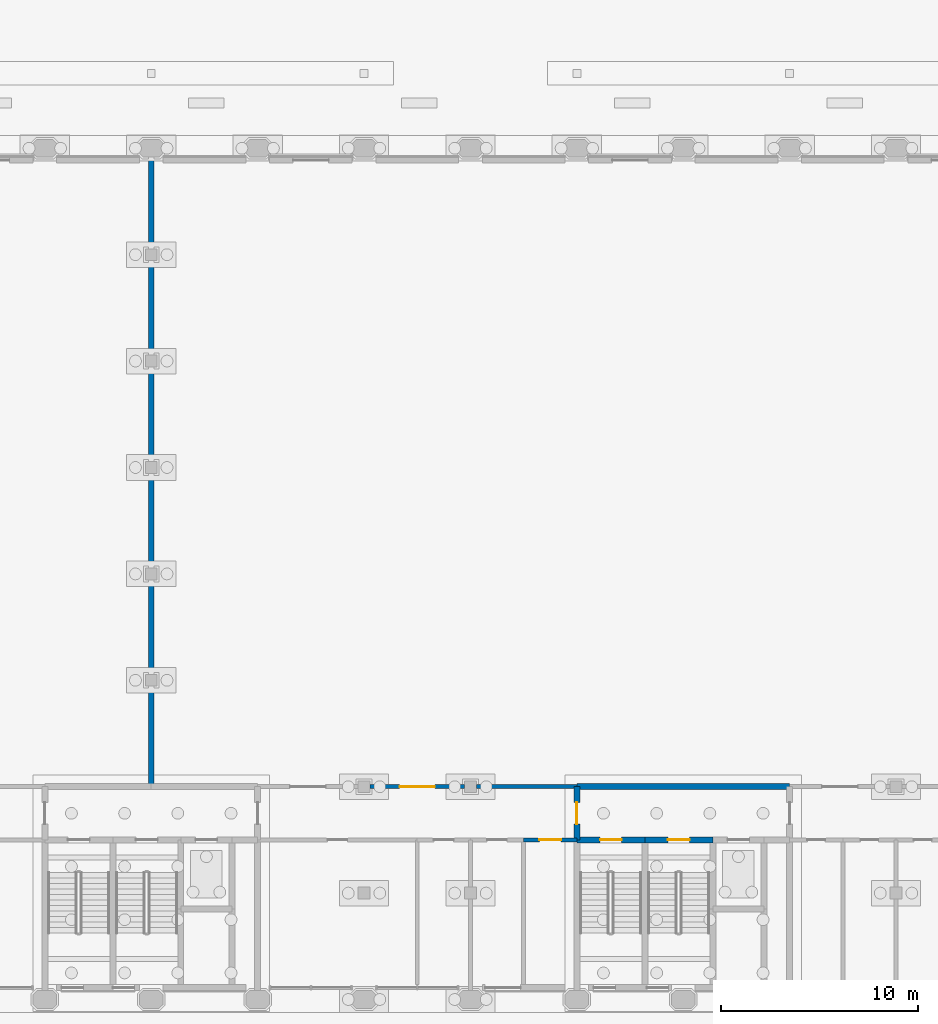
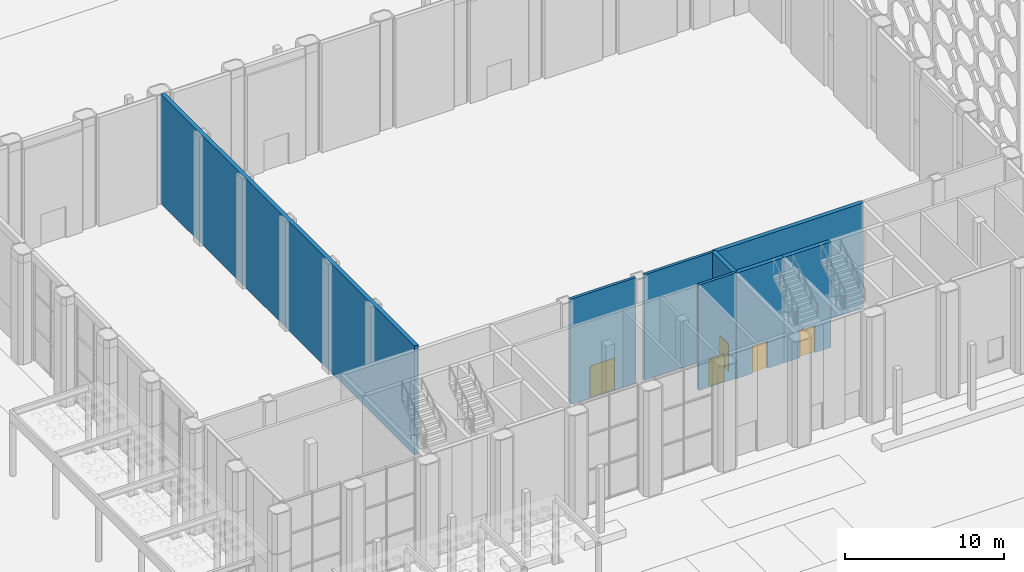
# One storey, part 34 of 54: 8 walls, 5 doors, 5 openings.
"""IFC4 building model written with IfcOpenShell, lengths in metres."""

import ifcopenshell
import ifcopenshell.guid

model = None  # the IFC model being written
_history = None  # IfcOwnerHistory: only IFC2X3 demands one
_inside = {}  # id of a spatial element -> (the spatial element, [elements in it])
_under = {}  # id of a project, library or spatial element -> (it, [spatial elements below it])
_declared = {}  # id of a project -> (the project, [libraries it declares])
_typed = {}  # id of a type object -> (the type object, [elements of that type])
_made_of = {}  # id of a material, layer set ... -> (it, [elements and type objects made of it])


def new_model(schema):
    """Start an empty IFC model of exactly this schema.

    Asked for "IFC4X3", IfcOpenShell would pick the latest addendum, in which some entities
    have other attributes; the version numbers below select the first issue.
    IFC2X3 requires an IfcOwnerHistory on every rooted entity: one is made here for all.
    """
    global model, _history
    if schema == "IFC4X3":
        model = ifcopenshell.file(schema_version=(4, 3, 0, 0))
    else:
        model = ifcopenshell.file(schema=schema)
    _inside.clear()
    _under.clear()
    _declared.clear()
    _typed.clear()
    _made_of.clear()
    _history = None
    if model.schema == "IFC2X3":
        org = make("IfcOrganization", Name="unknown")
        user = make(
            "IfcPersonAndOrganization",
            ThePerson=make("IfcPerson", FamilyName="unknown"),
            TheOrganization=org,
        )
        app = make(
            "IfcApplication",
            ApplicationDeveloper=org,
            Version="unknown",
            ApplicationFullName="unknown",
            ApplicationIdentifier="unknown",
        )
        _history = make(
            "IfcOwnerHistory",
            OwningUser=user,
            OwningApplication=app,
            ChangeAction="ADDED",
            CreationDate=0,
        )
    return model


def make(cls, **values):
    """One entity of the class cls with the attributes given. An attribute that is None is left unset."""
    return model.create_entity(
        cls, **{name: value for name, value in values.items() if value is not None}
    )


def rooted(cls, **values):
    """An entity with a GlobalId (a new one), such as an element, a storey or a relation."""
    return make(cls, GlobalId=ifcopenshell.guid.new(), OwnerHistory=_history, **values)


def si_unit(unit_type, name, prefix=None):
    """IfcSIUnit, for example si_unit("LENGTHUNIT", "METRE", prefix="MILLI")."""
    return make("IfcSIUnit", UnitType=unit_type, Prefix=prefix, Name=name)


def assignment(units):
    """IfcUnitAssignment: the units of a project."""
    return None if units is None else make("IfcUnitAssignment", Units=units)


def point(xyz):
    """IfcCartesianPoint."""
    return None if xyz is None else make("IfcCartesianPoint", Coordinates=xyz)


def direction(xyz):
    """IfcDirection."""
    return None if xyz is None else make("IfcDirection", DirectionRatios=xyz)


def frame(location, z_axis=None, x_axis=None):
    """IfcAxis2Placement3D, a coordinate frame: its origin and axes. An axis left out is left unset."""
    return make(
        "IfcAxis2Placement3D",
        Location=point(location),
        Axis=direction(z_axis),
        RefDirection=direction(x_axis),
    )


def frame_2d(location, x_axis=None):
    """IfcAxis2Placement2D, a coordinate frame in the plane: its origin and x axis."""
    return make(
        "IfcAxis2Placement2D", Location=point(location), RefDirection=direction(x_axis)
    )


def origin():
    """The frame at (0, 0, 0) with its axes left unset."""
    return frame((0.0, 0.0, 0.0))


def place(relative_to, where):
    """IfcLocalPlacement: puts the frame where relative to a parent placement (None: the world)."""
    return make(
        "IfcLocalPlacement", PlacementRelTo=relative_to, RelativePlacement=where
    )


def context(
    kind, dimensions, precision=None, world=None, true_north=None, identifier=None
):
    """IfcGeometricRepresentationContext, for example the 3D "Model" context."""
    return make(
        "IfcGeometricRepresentationContext",
        ContextIdentifier=identifier,
        ContextType=kind,
        CoordinateSpaceDimension=dimensions,
        Precision=precision,
        WorldCoordinateSystem=world,
        TrueNorth=true_north,
    )


def subcontext(parent, identifier, kind, view, scale=None):
    """IfcGeometricRepresentationSubContext, for example "Body" below "Model"."""
    return make(
        "IfcGeometricRepresentationSubContext",
        ContextIdentifier=identifier,
        ContextType=kind,
        ParentContext=parent,
        TargetScale=scale,
        TargetView=view,
    )


def project(units=None, contexts=None):
    """IfcProject with its units and contexts."""
    return rooted(
        "IfcProject",
        Name="project",
        RepresentationContexts=contexts,
        UnitsInContext=assignment(units),
    )


def spatial(cls, under=None, at=None, **own):
    """A site, building, storey or space (cls), placed at a placement, below another one or the project."""
    s = rooted(cls, ObjectPlacement=at, **own)
    if under is not None:
        _under.setdefault(under.id(), (under, []))[1].append(s)
    return s


def profile(cls, at=None, kind="AREA", **sizes):
    """A parametric profile (cls). Its sizes go by their IFC names, for example OverallWidth=200.0."""
    return make(cls, ProfileType=kind, Position=at, **sizes)


def rectangle(**sizes):
    """IfcRectangleProfileDef."""
    return profile("IfcRectangleProfileDef", **sizes)


def extrude(swept, where, along, depth):
    """IfcExtrudedAreaSolid: the profile swept, set in the frame where, extruded along a direction by depth."""
    return make(
        "IfcExtrudedAreaSolid",
        SweptArea=swept,
        Position=where,
        ExtrudedDirection=direction(along),
        Depth=depth,
    )


def shape(context_of_items, identifier, shape_type, items):
    """IfcShapeRepresentation: the items that make up one representation, for example the "Body"."""
    return make(
        "IfcShapeRepresentation",
        ContextOfItems=context_of_items,
        RepresentationIdentifier=identifier,
        RepresentationType=shape_type,
        Items=items,
    )


def material(Name=None, Category=None):
    """IfcMaterial."""
    return make("IfcMaterial", Name=Name, Category=Category)


def layer(
    of_material, thickness, ventilated=None, Name=None, Category=None, Priority=None
):
    """IfcMaterialLayer: one layer of a wall or slab, of a material (None: an air gap)."""
    return make(
        "IfcMaterialLayer",
        Material=of_material,
        LayerThickness=thickness,
        IsVentilated=ventilated,
        Name=Name,
        Category=Category,
        Priority=Priority,
    )


def layer_set(layers, Name=None):
    """IfcMaterialLayerSet."""
    return make("IfcMaterialLayerSet", MaterialLayers=layers, LayerSetName=Name)


def made_of(thing, what):
    """Note that an element or type object is made of a material, layer set ...; save() writes the relation."""
    if what is not None:
        _made_of.setdefault(what.id(), (what, []))[1].append(thing)
    return thing


def type_object(cls, material=None, **own):
    """A type object (cls), such as IfcWallType, which elements share."""
    return made_of(rooted(cls, **own), material)


def element(
    cls,
    number,
    at=None,
    inside=None,
    cuts=None,
    type_object=None,
    material=None,
    context=None,
    identifier="Body",
    shape_type=None,
    held_by="IfcProductDefinitionShape",
    body=None,
    shapes=None,
    **own,
):
    """One element of the class cls, such as IfcWall. Its Tag is "e" and its number.

    at: its placement. inside: the storey or other place that contains it. cuts: it is an
    opening in that element (IfcRelVoidsElement). A single representation is given by context,
    identifier, shape_type and body (its items); several are given by shapes. held_by: the class
    of the entity that holds the representations. save() writes the other relations.
    """
    e = rooted(cls, Tag="e%d" % number, ObjectPlacement=at, **own)
    if body is not None:
        shapes = [shape(context, identifier, shape_type, body)]
    if shapes is not None:
        e.Representation = make(held_by, Representations=shapes)
    if inside is not None:
        _inside.setdefault(inside.id(), (inside, []))[1].append(e)
    if cuts is not None:
        rooted(
            "IfcRelVoidsElement", RelatingBuildingElement=cuts, RelatedOpeningElement=e
        )
    if type_object is not None:
        _typed.setdefault(type_object.id(), (type_object, []))[1].append(e)
    return made_of(e, material)


def fill(opening, filler):
    """IfcRelFillsElement: the door or window that sits in an opening."""
    return rooted(
        "IfcRelFillsElement",
        RelatingOpeningElement=opening,
        RelatedBuildingElement=filler,
    )


def aggregate(whole, parts):
    """IfcRelAggregates: a whole, such as a stair, and the parts it consists of."""
    return rooted("IfcRelAggregates", RelatingObject=whole, RelatedObjects=parts)


def save(model, path):
    """Write the relations noted so far, then the file.

    IfcRelAggregates (storeys below a building ...), IfcRelContainedInSpatialStructure (elements
    in a storey), IfcRelDefinesByType, IfcRelAssociatesMaterial and IfcRelDeclares: one each for
    every whole, place, type object, material and project.
    """
    for whole, parts in _under.values():
        aggregate(whole, parts)
    for where, things in _inside.values():
        rooted(
            "IfcRelContainedInSpatialStructure",
            RelatedElements=things,
            RelatingStructure=where,
        )
    for kind, things in _typed.values():
        rooted("IfcRelDefinesByType", RelatedObjects=things, RelatingType=kind)
    for what, things in _made_of.values():
        rooted("IfcRelAssociatesMaterial", RelatedObjects=things, RelatingMaterial=what)
    for by, libraries in _declared.values():
        rooted("IfcRelDeclares", RelatingContext=by, RelatedDefinitions=libraries)
    model.write(path)


model = new_model("IFC4")

# Units and contexts
model_context = context("Model", 3, precision=1e-05, world=origin(), true_north=direction((0.0, 1.0)))
body_context = subcontext(model_context, "Body", "Model", "MODEL_VIEW")
ifc_project = project(units=[si_unit("LENGTHUNIT", "METRE"), si_unit("AREAUNIT", "SQUARE_METRE"), si_unit("VOLUMEUNIT", "CUBIC_METRE"), si_unit("PLANEANGLEUNIT", "RADIAN"), si_unit("MASSUNIT", "GRAM", prefix="KILO")], contexts=[model_context])

# Site, building, storey
site_placement = place(None, origin())
site = spatial("IfcSite", under=ifc_project, at=site_placement, CompositionType="ELEMENT")
building_placement = place(site_placement, origin())
building = spatial("IfcBuilding", under=site, at=building_placement, Name="Tabaq Tower and Sports Hall", CompositionType="ELEMENT")
storey_placement = place(building_placement, origin())
storey = spatial("IfcBuildingStorey", under=building, at=storey_placement, Name="L00", CompositionType="ELEMENT", Elevation=0.0)

# Wall, opening, door
ifc_material_1 = material(Name="Concrete C50/60", Category="concrete")
ifc_layer_1 = layer(ifc_material_1, 0.300048828125)
ifc_layer_set_1 = layer_set([ifc_layer_1], Name="HALL CORE WALL RC 300 C50/60")
wall_type_1 = type_object("IfcWallType", Name="HALL CORE WALL RC 300 C50/60", PredefinedType="SHEAR", material=ifc_layer_set_1)
wall_1_placement = place(storey_placement, frame((102.60009765625, 8.10009765625, 0.0), z_axis=(0.0, 0.0, 1.0), x_axis=(0.0, 1.0, 0.0)))
wall_1 = element("IfcWall", 1, at=wall_1_placement, inside=storey, type_object=wall_type_1, Name="L00 core wall 020", PredefinedType="SHEAR", context=body_context, shape_type="SweptSolid", body=[
    extrude(rectangle(XDim=2.699951171875, YDim=0.300048828125, at=frame_2d((1.35009765625, 0.0))), origin(), (0.0, 0.0, 1.0), 8.10009765625),
])
opening_1_placement = place(wall_1_placement, frame((0.800048828125, 0.0, 0.0)))
opening_1 = element("IfcOpeningElement", 2, at=opening_1_placement, cuts=wall_1, Name="Opening HD025", PredefinedType="OPENING", context=body_context, shape_type="SweptSolid", body=[
    extrude(rectangle(XDim=1.10009765625, YDim=2.10009765625, at=frame_2d((0.550048828125, 1.050048828125))), frame((0.0, 0.14990234375, 0.0), z_axis=(0.0, -1.0, 0.0), x_axis=(1.0, 0.0, 0.0)), (0.0, 0.0, 1.0), 0.300048828125),
])
ifc_material_2 = material(Name="Steel fire door leaf in steel frame", Category="steel")
door_type_1 = type_object("IfcDoorType", Name="HALL FIRE DOOR 1100x2100", OperationType="SINGLE_SWING_LEFT", PredefinedType="DOOR", material=ifc_material_2)
door_1_placement = place(opening_1_placement, origin())
door_1 = element("IfcDoor", 3, at=door_1_placement, inside=storey, type_object=door_type_1, Name="Door HD025", OperationType="SINGLE_SWING_LEFT", OverallHeight=2.10009765625, OverallWidth=1.10009765625, PredefinedType="DOOR", context=body_context, shape_type="SweptSolid", body=[
    extrude(rectangle(XDim=1.10009765625, YDim=2.10009765625, at=frame_2d((0.550048828125, 1.050048828125))), frame((0.0, 0.02490234375, 0.0), z_axis=(0.0, -1.0, 0.0), x_axis=(1.0, 0.0, 0.0)), (0.0, 0.0, 1.0), 0.050048828125),
])
fill(opening_1, door_1)

# Walls
wall_2_placement = place(storey_placement, frame((81.0, 10.800048828125, 0.0), z_axis=(0.0, 0.0, 1.0), x_axis=(0.0, 1.0, 0.0)))
element("IfcWall", 4, at=wall_2_placement, inside=storey, type_object=wall_type_1, Name="L00 partition 033", PredefinedType="SHEAR", context=body_context, shape_type="SweptSolid", body=[
    extrude(rectangle(XDim=31.949951171875, YDim=0.300048828125, at=frame_2d((15.97509765625, 0.0))), origin(), (0.0, 0.0, 1.0), 8.39990234375),
])
wall_3_placement = place(storey_placement, frame((102.60009765625, 10.800048828125, 0.0), z_axis=(0.0, 0.0, 1.0), x_axis=(1.0, 0.0, 0.0)))
element("IfcWall", 5, at=wall_3_placement, inside=storey, type_object=wall_type_1, Name="L00 core wall 035", PredefinedType="SHEAR", context=body_context, shape_type="SweptSolid", body=[
    extrude(rectangle(XDim=10.7998046875, YDim=0.300048828125, at=frame_2d((5.39990234375, 0.0))), origin(), (0.0, 0.0, 1.0), 8.10009765625),
])

# Wall, opening, door
wall_4_placement = place(storey_placement, frame((102.60009765625, 8.10009765625, 0.0), z_axis=(0.0, 0.0, 1.0), x_axis=(1.0, 0.0, 0.0)))
wall_4 = element("IfcWall", 6, at=wall_4_placement, inside=storey, type_object=wall_type_1, Name="L00 core wall 048", PredefinedType="SHEAR", context=body_context, shape_type="SweptSolid", body=[
    extrude(rectangle(XDim=3.449951171875, YDim=0.300048828125, at=frame_2d((1.72509765625, 0.0))), origin(), (0.0, 0.0, 1.0), 8.10009765625),
])
opening_2_placement = place(wall_4_placement, frame((1.175048828125, 0.0, 0.0)))
opening_2 = element("IfcOpeningElement", 7, at=opening_2_placement, cuts=wall_4, Name="Opening HD036", PredefinedType="OPENING", context=body_context, shape_type="SweptSolid", body=[
    extrude(rectangle(XDim=1.10009765625, YDim=2.10009765625, at=frame_2d((0.550048828125, 1.050048828125))), frame((0.0, 0.14990234375, 0.0), z_axis=(0.0, -1.0, 0.0), x_axis=(1.0, 0.0, 0.0)), (0.0, 0.0, 1.0), 0.300048828125),
])
door_2_placement = place(opening_2_placement, origin())
door_2 = element("IfcDoor", 8, at=door_2_placement, inside=storey, type_object=door_type_1, Name="Door HD036", OperationType="SINGLE_SWING_LEFT", OverallHeight=2.10009765625, OverallWidth=1.10009765625, PredefinedType="DOOR", context=body_context, shape_type="SweptSolid", body=[
    extrude(rectangle(XDim=1.10009765625, YDim=2.10009765625, at=frame_2d((0.550048828125, 1.050048828125))), frame((0.0, 0.02490234375, 0.0), z_axis=(0.0, -1.0, 0.0), x_axis=(1.0, 0.0, 0.0)), (0.0, 0.0, 1.0), 0.050048828125),
])
fill(opening_2, door_2)

wall_5_placement = place(storey_placement, frame((106.050048828125, 8.10009765625, 0.0), z_axis=(0.0, 0.0, 1.0), x_axis=(1.0, 0.0, 0.0)))
wall_5 = element("IfcWall", 9, at=wall_5_placement, inside=storey, type_object=wall_type_1, Name="L00 core wall 051", PredefinedType="SHEAR", context=body_context, shape_type="SweptSolid", body=[
    extrude(rectangle(XDim=3.449951171875, YDim=0.300048828125, at=frame_2d((1.72509765625, 0.0))), origin(), (0.0, 0.0, 1.0), 8.10009765625),
])
opening_3_placement = place(wall_5_placement, frame((1.175048828125, 0.0, 0.0)))
opening_3 = element("IfcOpeningElement", 10, at=opening_3_placement, cuts=wall_5, Name="Opening HD037", PredefinedType="OPENING", context=body_context, shape_type="SweptSolid", body=[
    extrude(rectangle(XDim=1.10009765625, YDim=2.10009765625, at=frame_2d((0.550048828125, 1.050048828125))), frame((0.0, 0.14990234375, 0.0), z_axis=(0.0, -1.0, 0.0), x_axis=(1.0, 0.0, 0.0)), (0.0, 0.0, 1.0), 0.300048828125),
])
door_3_placement = place(opening_3_placement, origin())
door_3 = element("IfcDoor", 11, at=door_3_placement, inside=storey, type_object=door_type_1, Name="Door HD037", OperationType="SINGLE_SWING_LEFT", OverallHeight=2.10009765625, OverallWidth=1.10009765625, PredefinedType="DOOR", context=body_context, shape_type="SweptSolid", body=[
    extrude(rectangle(XDim=1.10009765625, YDim=2.10009765625, at=frame_2d((0.550048828125, 1.050048828125))), frame((0.0, 0.02490234375, 0.0), z_axis=(0.0, -1.0, 0.0), x_axis=(1.0, 0.0, 0.0)), (0.0, 0.0, 1.0), 0.050048828125),
])
fill(opening_3, door_3)

ifc_material_3 = material(Name="Blockwork partition with plaster both faces", Category="masonry")
ifc_layer_2 = layer(ifc_material_3, 0.199951171875)
ifc_layer_set_2 = layer_set([ifc_layer_2], Name="HALL PARTITION 200")
wall_type_2 = type_object("IfcWallType", Name="HALL PARTITION 200", PredefinedType="PARTITIONING", material=ifc_layer_set_2)
wall_6_placement = place(storey_placement, frame((99.89990234375, 8.10009765625, 0.0), z_axis=(0.0, 0.0, 1.0), x_axis=(1.0, 0.0, 0.0)))
wall_6 = element("IfcWall", 12, at=wall_6_placement, inside=storey, type_object=wall_type_2, Name="L00 partition 014", PredefinedType="PARTITIONING", context=body_context, shape_type="SweptSolid", body=[
    extrude(rectangle(XDim=2.7001953125, YDim=0.199951171875, at=frame_2d((1.35009765625, 0.0))), origin(), (0.0, 0.0, 1.0), 8.10009765625),
])
opening_4_placement = place(wall_6_placement, frame((0.800048828125, 0.0, 0.0)))
opening_4 = element("IfcOpeningElement", 13, at=opening_4_placement, cuts=wall_6, Name="Opening HD023", PredefinedType="OPENING", context=body_context, shape_type="SweptSolid", body=[
    extrude(rectangle(XDim=1.10009765625, YDim=2.10009765625, at=frame_2d((0.550048828125, 1.050048828125))), frame((0.0, 0.10009765625, 0.0), z_axis=(0.0, -1.0, 0.0), x_axis=(1.0, 0.0, 0.0)), (0.0, 0.0, 1.0), 0.199951171875),
])
door_4_placement = place(opening_4_placement, origin())
door_4 = element("IfcDoor", 14, at=door_4_placement, inside=storey, type_object=door_type_1, Name="Door HD023", OperationType="SINGLE_SWING_LEFT", OverallHeight=2.10009765625, OverallWidth=1.10009765625, PredefinedType="DOOR", context=body_context, shape_type="SweptSolid", body=[
    extrude(rectangle(XDim=1.10009765625, YDim=2.10009765625, at=frame_2d((0.550048828125, 1.050048828125))), frame((0.0, 0.02490234375, 0.0), z_axis=(0.0, -1.0, 0.0), x_axis=(1.0, 0.0, 0.0)), (0.0, 0.0, 1.0), 0.050048828125),
])
fill(opening_4, door_4)

wall_7_placement = place(storey_placement, frame((92.10009765625, 10.800048828125, 0.0), z_axis=(0.0, 0.0, 1.0), x_axis=(1.0, 0.0, 0.0)))
wall_7 = element("IfcWall", 15, at=wall_7_placement, inside=storey, type_object=wall_type_2, Name="L00 partition 017", PredefinedType="PARTITIONING", context=body_context, shape_type="SweptSolid", body=[
    extrude(rectangle(XDim=4.7998046875, YDim=0.199951171875, at=frame_2d((2.39990234375, 0.0))), origin(), (0.0, 0.0, 1.0), 8.10009765625),
])
opening_5_placement = place(wall_7_placement, frame((1.5, 0.0, 0.0)))
opening_5 = element("IfcOpeningElement", 16, at=opening_5_placement, cuts=wall_7, Name="Opening HD027", PredefinedType="OPENING", context=body_context, shape_type="SweptSolid", body=[
    extrude(rectangle(XDim=1.800048828125, YDim=2.39990234375, at=frame_2d((0.89990234375, 1.199951171875))), frame((0.0, 0.10009765625, 0.0), z_axis=(0.0, -1.0, 0.0), x_axis=(1.0, 0.0, 0.0)), (0.0, 0.0, 1.0), 0.199951171875),
])
ifc_material_4 = material(Name="Aluminium framed glazed door leaves", Category="aluminium")
door_type_2 = type_object("IfcDoorType", Name="HALL DOOR DOUBLE 1800x2400", OperationType="DOUBLE_DOOR_SINGLE_SWING", PredefinedType="DOOR", material=ifc_material_4)
door_5_placement = place(opening_5_placement, origin())
door_5 = element("IfcDoor", 17, at=door_5_placement, inside=storey, type_object=door_type_2, Name="Door HD027", OperationType="DOUBLE_DOOR_SINGLE_SWING", OverallHeight=2.39990234375, OverallWidth=1.800048828125, PredefinedType="DOOR", context=body_context, shape_type="SweptSolid", body=[
    extrude(rectangle(XDim=1.800048828125, YDim=2.39990234375, at=frame_2d((0.89990234375, 1.199951171875))), frame((0.0, 0.02490234375, 0.0), z_axis=(0.0, -1.0, 0.0), x_axis=(1.0, 0.0, 0.0)), (0.0, 0.0, 1.0), 0.050048828125),
])
fill(opening_5, door_5)

# Wall
wall_8_placement = place(storey_placement, frame((97.5, 10.800048828125, 0.0), z_axis=(0.0, 0.0, 1.0), x_axis=(1.0, 0.0, 0.0)))
element("IfcWall", 18, at=wall_8_placement, inside=storey, type_object=wall_type_2, Name="L00 partition 018", PredefinedType="PARTITIONING", context=body_context, shape_type="SweptSolid", body=[
    extrude(rectangle(XDim=5.10009765625, YDim=0.199951171875, at=frame_2d((2.550048828125, 0.0))), origin(), (0.0, 0.0, 1.0), 8.10009765625),
])

save(model, "model.ifc")
